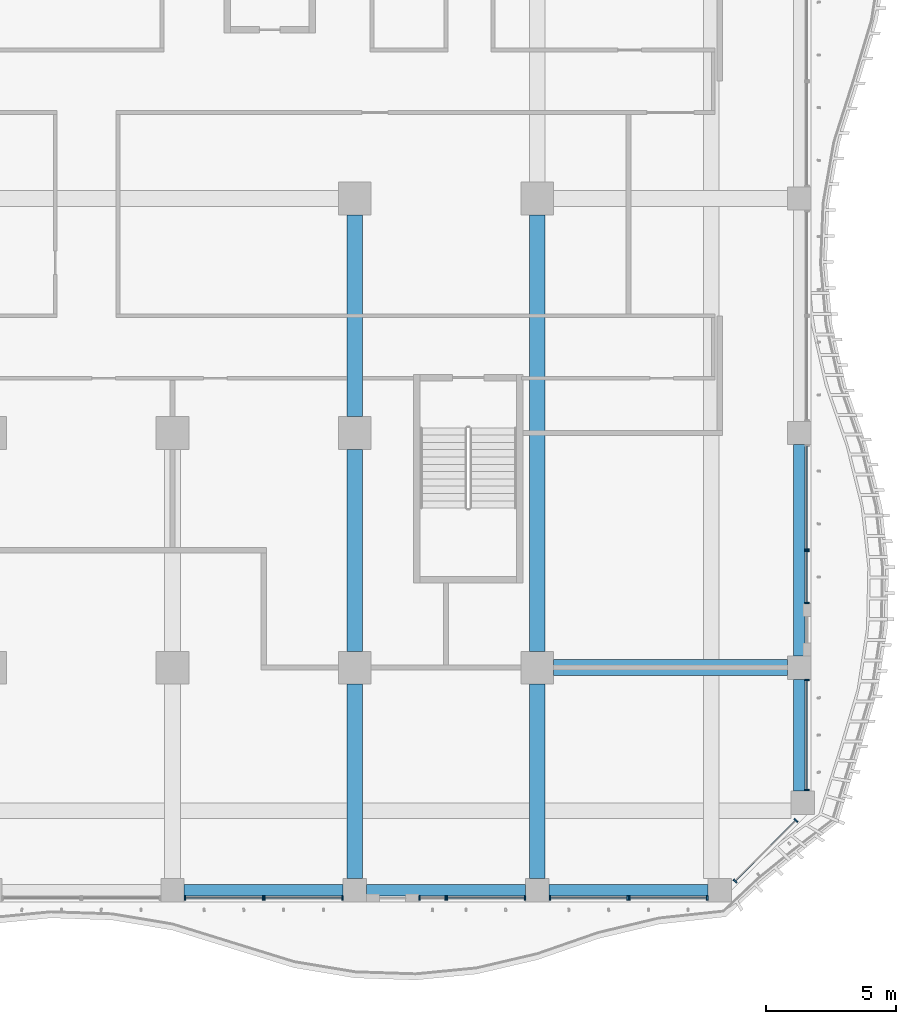
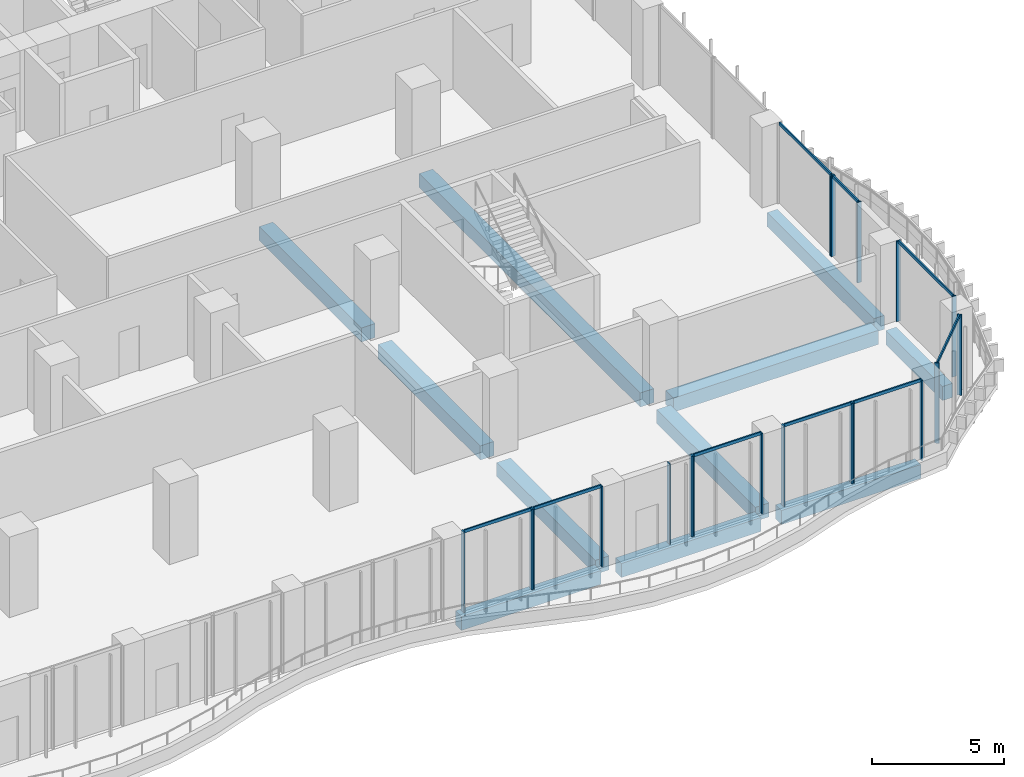
# One storey, part 4 of 27: 28 members, 11 beams, 10 elements without a shape of their own.
"""IFC4 building model written with IfcOpenShell, lengths in metres."""

from ifc_helpers import new_model, si_unit, direction, frame, origin, origin_2d, place, context, subcontext, project, spatial, rectangle, extrude, source, transform, mapped, material, material_profile, profile_set, type_object, element, aggregate, save


model = new_model("IFC4")

# Units and contexts
model_context = context("Model", 3, precision=1e-05, world=origin(), true_north=direction((0.0, 1.0)))
body_context = subcontext(model_context, "Body", "Model", "MODEL_VIEW")
ifc_project = project(units=[si_unit("LENGTHUNIT", "METRE"), si_unit("AREAUNIT", "SQUARE_METRE"), si_unit("VOLUMEUNIT", "CUBIC_METRE"), si_unit("PLANEANGLEUNIT", "RADIAN"), si_unit("MASSUNIT", "GRAM", prefix="KILO")], contexts=[model_context])

# Site, building, storey
site_placement = place(None, origin())
site = spatial("IfcSite", under=ifc_project, at=site_placement, CompositionType="ELEMENT")
building_placement = place(site_placement, origin())
building = spatial("IfcBuilding", under=site, at=building_placement, Name="Kilnfold Tower and Market Hall", CompositionType="ELEMENT")
storey_placement = place(building_placement, frame((0.0, 0.0, 71.199951171875)))
storey = spatial("IfcBuildingStorey", under=building, at=storey_placement, Name="L16", CompositionType="ELEMENT", Elevation=71.199951171875)

# Beams
ifc_material_1 = material(Name="Concrete C45", Category="concrete")
ifc_material_profile_1 = material_profile(ifc_material_1, rectangle(XDim=0.449951171875, YDim=0.64990234375, at=origin_2d()), Name="RC 450x650")
ifc_profile_set_1 = profile_set([ifc_material_profile_1], Name="Concrete C45")
beam_type_1 = type_object("IfcBeamType", Name="EDGE BEAM 450X650 C45", PredefinedType="BEAM", material=ifc_profile_set_1)
shared_shape_1 = source(origin(), body_context, "Body", "SweptSolid", [
    extrude(rectangle(XDim=0.449951171875, YDim=0.64990234375, at=origin_2d()), origin(), (0.0, 0.0, 1.0), 6.10009765625),
])
for number, where, z_axis, x_axis, name in (
    (1, (8.949951171875, -27.550048828125, -0.60498046875), (1.0, 0.0, 0.0), (0.0, 1.0, 0.0), "Beam EB650-B2.64"),
    (2, (15.949951171875, -27.550048828125, -0.60498046875), (1.0, 0.0, 0.0), (0.0, 1.0, 0.0), "Beam EB650-B2.65"),
    (3, (22.949951171875, -27.550048828125, -0.60498046875), (1.0, 0.0, 0.0), (0.0, 1.0, 0.0), "Beam EB650-B2.66"),
):
    element("IfcBeam", number, at=place(storey_placement, frame(where, z_axis=z_axis, x_axis=x_axis)), inside=storey, type_object=beam_type_1, Name=name, PredefinedType="BEAM", context=body_context, shape_type="MappedRepresentation", body=[
        mapped(shared_shape_1, transform((0.0, 0.0, 0.0))),
    ])
shared_shape_2 = source(origin(), body_context, "Body", "SweptSolid", [
    extrude(rectangle(XDim=0.449951171875, YDim=0.64990234375, at=origin_2d()), origin(), (0.0, 0.0, 1.0), 8.10009765625),
])
beam_1_placement = place(storey_placement, frame((32.550048828125, -18.550048828125, -0.60498046875), z_axis=(0.0, 1.0, 0.0), x_axis=(-1.0, 0.0, 0.0)))
element("IfcBeam", 4, at=beam_1_placement, inside=storey, type_object=beam_type_1, Name="Beam EB650-B2.100", PredefinedType="BEAM", context=body_context, shape_type="MappedRepresentation", body=[
    mapped(shared_shape_2, transform((0.0, 0.0, 0.0))),
])
shared_shape_3 = source(origin(), body_context, "Body", "SweptSolid", [
    extrude(rectangle(XDim=0.449951171875, YDim=0.64990234375, at=origin_2d()), origin(), (0.0, 0.0, 1.0), 4.28173828125),
])
beam_2_placement = place(storey_placement, frame((32.550048828125, -23.731689453125, -0.60498046875), z_axis=(0.0, 1.0, 0.0), x_axis=(-1.0, 0.0, 0.0)))
element("IfcBeam", 5, at=beam_2_placement, inside=storey, type_object=beam_type_1, Name="Beam EB650-B2.99", PredefinedType="BEAM", context=body_context, shape_type="MappedRepresentation", body=[
    mapped(shared_shape_3, transform((0.0, 0.0, 0.0))),
])
ifc_material_2 = material(Name="Concrete C45", Category="concrete")
ifc_material_profile_2 = material_profile(ifc_material_2, rectangle(XDim=0.60009765625, YDim=0.64990234375, at=origin_2d()), Name="RC 600x650")
ifc_profile_set_2 = profile_set([ifc_material_profile_2], Name="Concrete C45")
beam_type_2 = type_object("IfcBeamType", Name="BEAM 600X650 C45", PredefinedType="BEAM", material=ifc_profile_set_2)
shared_shape_4 = source(origin(), body_context, "Body", "SweptSolid", [
    extrude(rectangle(XDim=0.60009765625, YDim=0.64990234375, at=origin_2d()), origin(), (0.0, 0.0, 1.0), 8.97509765625),
])
beam_3_placement = place(storey_placement, frame((23.125, -19.0, -0.60498046875), z_axis=(1.0, 0.0, 0.0), x_axis=(0.0, 1.0, 0.0)))
element("IfcBeam", 6, at=beam_3_placement, inside=storey, type_object=beam_type_2, Name="Beam BB650-B2.69", PredefinedType="BEAM", context=body_context, shape_type="MappedRepresentation", body=[
    mapped(shared_shape_4, transform((0.0, 0.0, 0.0))),
])
shared_shape_5 = source(origin(), body_context, "Body", "SweptSolid", [
    extrude(rectangle(XDim=0.60009765625, YDim=0.64990234375, at=origin_2d()), origin(), (0.0, 0.0, 1.0), 7.47509765625),
])
for number, where, z_axis, x_axis, name in (
    (7, (15.5, -27.10009765625, -0.60498046875), (0.0, 1.0, 0.0), (-1.0, 0.0, 0.0), "Beam BB650-B2.91"),
    (8, (22.5, -27.10009765625, -0.60498046875), (0.0, 1.0, 0.0), (-1.0, 0.0, 0.0), "Beam BB650-B2.94"),
):
    element("IfcBeam", number, at=place(storey_placement, frame(where, z_axis=z_axis, x_axis=x_axis)), inside=storey, type_object=beam_type_2, Name=name, PredefinedType="BEAM", context=body_context, shape_type="MappedRepresentation", body=[
        mapped(shared_shape_5, transform((0.0, 0.0, 0.0))),
    ])
shared_shape_6 = source(origin(), body_context, "Body", "SweptSolid", [
    extrude(rectangle(XDim=0.60009765625, YDim=0.64990234375, at=origin_2d()), origin(), (0.0, 0.0, 1.0), 7.75),
])
for number, where, z_axis, x_axis, name in (
    (9, (15.5, -18.375, -0.60498046875), (0.0, 1.0, 0.0), (-1.0, 0.0, 0.0), "Beam BB650-B2.92"),
    (10, (15.5, -9.375, -0.60498046875), (0.0, 1.0, 0.0), (-1.0, 0.0, 0.0), "Beam BB650-B2.93"),
):
    element("IfcBeam", number, at=place(storey_placement, frame(where, z_axis=z_axis, x_axis=x_axis)), inside=storey, type_object=beam_type_2, Name=name, PredefinedType="BEAM", context=body_context, shape_type="MappedRepresentation", body=[
        mapped(shared_shape_6, transform((0.0, 0.0, 0.0))),
    ])
shared_shape_7 = source(origin(), body_context, "Body", "SweptSolid", [
    extrude(rectangle(XDim=0.60009765625, YDim=0.64990234375, at=origin_2d()), origin(), (0.0, 0.0, 1.0), 16.75),
])
beam_4_placement = place(storey_placement, frame((22.5, -18.375, -0.60498046875), z_axis=(0.0, 1.0, 0.0), x_axis=(-1.0, 0.0, 0.0)))
element("IfcBeam", 11, at=beam_4_placement, inside=storey, type_object=beam_type_2, Name="Beam BB650-B2.95", PredefinedType="BEAM", context=body_context, shape_type="MappedRepresentation", body=[
    mapped(shared_shape_7, transform((0.0, 0.0, 0.0))),
])

# Curtain wall, members
ifc_material_3 = material(Name="Aluminium and double glazing", Category="aluminium")
curtain_wall_type = type_object("IfcCurtainWallType", Name="CW OF1 VALLEY GLAZING", PredefinedType="NOTDEFINED", material=ifc_material_3)
curtain_wall_1_placement = place(storey_placement, origin())
curtain_wall_1 = element("IfcCurtainWall", 12, at=curtain_wall_1_placement, inside=storey, type_object=curtain_wall_type, Name="Curtain wall CW1 L16 S", PredefinedType="NOTDEFINED")
ifc_material_4 = material(Name="Aluminium", Category="aluminium")
ifc_material_profile_3 = material_profile(ifc_material_4, rectangle(XDim=0.06005859375, YDim=0.179931640625, at=origin_2d()), Name="MULLION 60x180")
ifc_profile_set_3 = profile_set([ifc_material_profile_3], Name="Aluminium")
member_type_1 = type_object("IfcMemberType", Name="MULLION 60X180", PredefinedType="MULLION", material=ifc_profile_set_3)
shared_shape_8 = source(origin(), body_context, "Body", "SweptSolid", [
    extrude(rectangle(XDim=0.06005859375, YDim=0.179931640625, at=origin_2d()), origin(), (0.0, 0.0, 1.0), 3.719970703125),
])
member_1_placement = place(storey_placement, frame((8.97998046875, -27.85009765625, 0.0), z_axis=(0.0, 0.0, 1.0), x_axis=(1.0, 0.0, 0.0)))
member_1 = element("IfcMember", 13, at=member_1_placement, type_object=member_type_1, Name="CW1 mullion 1", PredefinedType="MULLION", context=body_context, shape_type="MappedRepresentation", body=[
    mapped(shared_shape_8, transform((0.0, 0.0, 0.0))),
])
member_2_placement = place(storey_placement, frame((11.969970703125, -27.85009765625, 0.0), z_axis=(0.0, 0.0, 1.0), x_axis=(1.0, 0.0, 0.0)))
member_2 = element("IfcMember", 14, at=member_2_placement, type_object=member_type_1, Name="CW1 mullion 2", PredefinedType="MULLION", context=body_context, shape_type="MappedRepresentation", body=[
    mapped(shared_shape_8, transform((0.0, 0.0, 0.0))),
])

curtain_wall_2_placement = place(storey_placement, origin())
curtain_wall_2 = element("IfcCurtainWall", 15, at=curtain_wall_2_placement, inside=storey, type_object=curtain_wall_type, Name="Curtain wall CW1 L16 S", PredefinedType="NOTDEFINED")
member_3_placement = place(storey_placement, frame((12.030029296875, -27.85009765625, 0.0), z_axis=(0.0, 0.0, 1.0), x_axis=(1.0, 0.0, 0.0)))
member_3 = element("IfcMember", 16, at=member_3_placement, type_object=member_type_1, Name="CW1 mullion 1", PredefinedType="MULLION", context=body_context, shape_type="MappedRepresentation", body=[
    mapped(shared_shape_8, transform((0.0, 0.0, 0.0))),
])
member_4_placement = place(storey_placement, frame((15.02001953125, -27.85009765625, 0.0), z_axis=(0.0, 0.0, 1.0), x_axis=(1.0, 0.0, 0.0)))
member_4 = element("IfcMember", 17, at=member_4_placement, type_object=member_type_1, Name="CW1 mullion 2", PredefinedType="MULLION", context=body_context, shape_type="MappedRepresentation", body=[
    mapped(shared_shape_8, transform((0.0, 0.0, 0.0))),
])

curtain_wall_3_placement = place(storey_placement, origin())
curtain_wall_3 = element("IfcCurtainWall", 18, at=curtain_wall_3_placement, inside=storey, type_object=curtain_wall_type, Name="Curtain wall CW1 L16 S", PredefinedType="NOTDEFINED")
member_5_placement = place(storey_placement, frame((17.97998046875, -27.85009765625, 0.0), z_axis=(0.0, 0.0, 1.0), x_axis=(1.0, 0.0, 0.0)))
member_5 = element("IfcMember", 19, at=member_5_placement, type_object=member_type_1, Name="CW1 mullion 1", PredefinedType="MULLION", context=body_context, shape_type="MappedRepresentation", body=[
    mapped(shared_shape_8, transform((0.0, 0.0, 0.0))),
])
member_6_placement = place(storey_placement, frame((18.969970703125, -27.85009765625, 0.0), z_axis=(0.0, 0.0, 1.0), x_axis=(1.0, 0.0, 0.0)))
member_6 = element("IfcMember", 20, at=member_6_placement, type_object=member_type_1, Name="CW1 mullion 2", PredefinedType="MULLION", context=body_context, shape_type="MappedRepresentation", body=[
    mapped(shared_shape_8, transform((0.0, 0.0, 0.0))),
])
aggregate(curtain_wall_3, [member_5, member_6])

curtain_wall_4_placement = place(storey_placement, origin())
curtain_wall_4 = element("IfcCurtainWall", 21, at=curtain_wall_4_placement, inside=storey, type_object=curtain_wall_type, Name="Curtain wall CW1 L16 S", PredefinedType="NOTDEFINED")
member_7_placement = place(storey_placement, frame((19.030029296875, -27.85009765625, 0.0), z_axis=(0.0, 0.0, 1.0), x_axis=(1.0, 0.0, 0.0)))
member_7 = element("IfcMember", 22, at=member_7_placement, type_object=member_type_1, Name="CW1 mullion 1", PredefinedType="MULLION", context=body_context, shape_type="MappedRepresentation", body=[
    mapped(shared_shape_8, transform((0.0, 0.0, 0.0))),
])
member_8_placement = place(storey_placement, frame((22.02001953125, -27.85009765625, 0.0), z_axis=(0.0, 0.0, 1.0), x_axis=(1.0, 0.0, 0.0)))
member_8 = element("IfcMember", 23, at=member_8_placement, type_object=member_type_1, Name="CW1 mullion 2", PredefinedType="MULLION", context=body_context, shape_type="MappedRepresentation", body=[
    mapped(shared_shape_8, transform((0.0, 0.0, 0.0))),
])

curtain_wall_5_placement = place(storey_placement, origin())
curtain_wall_5 = element("IfcCurtainWall", 24, at=curtain_wall_5_placement, inside=storey, type_object=curtain_wall_type, Name="Curtain wall CW1 L16 S", PredefinedType="NOTDEFINED")
member_9_placement = place(storey_placement, frame((22.97998046875, -27.85009765625, 0.0), z_axis=(0.0, 0.0, 1.0), x_axis=(1.0, 0.0, 0.0)))
member_9 = element("IfcMember", 25, at=member_9_placement, type_object=member_type_1, Name="CW1 mullion 1", PredefinedType="MULLION", context=body_context, shape_type="MappedRepresentation", body=[
    mapped(shared_shape_8, transform((0.0, 0.0, 0.0))),
])
member_10_placement = place(storey_placement, frame((25.969970703125, -27.85009765625, 0.0), z_axis=(0.0, 0.0, 1.0), x_axis=(1.0, 0.0, 0.0)))
member_10 = element("IfcMember", 26, at=member_10_placement, type_object=member_type_1, Name="CW1 mullion 2", PredefinedType="MULLION", context=body_context, shape_type="MappedRepresentation", body=[
    mapped(shared_shape_8, transform((0.0, 0.0, 0.0))),
])

curtain_wall_6_placement = place(storey_placement, origin())
curtain_wall_6 = element("IfcCurtainWall", 27, at=curtain_wall_6_placement, inside=storey, type_object=curtain_wall_type, Name="Curtain wall CW1 L16 S", PredefinedType="NOTDEFINED")
member_11_placement = place(storey_placement, frame((26.030029296875, -27.85009765625, 0.0), z_axis=(0.0, 0.0, 1.0), x_axis=(1.0, 0.0, 0.0)))
member_11 = element("IfcMember", 28, at=member_11_placement, type_object=member_type_1, Name="CW1 mullion 1", PredefinedType="MULLION", context=body_context, shape_type="MappedRepresentation", body=[
    mapped(shared_shape_8, transform((0.0, 0.0, 0.0))),
])
member_12_placement = place(storey_placement, frame((29.02001953125, -27.85009765625, 0.0), z_axis=(0.0, 0.0, 1.0), x_axis=(1.0, 0.0, 0.0)))
member_12 = element("IfcMember", 29, at=member_12_placement, type_object=member_type_1, Name="CW1 mullion 2", PredefinedType="MULLION", context=body_context, shape_type="MappedRepresentation", body=[
    mapped(shared_shape_8, transform((0.0, 0.0, 0.0))),
])

curtain_wall_7_placement = place(storey_placement, origin())
curtain_wall_7 = element("IfcCurtainWall", 30, at=curtain_wall_7_placement, inside=storey, type_object=curtain_wall_type, Name="Curtain wall CW1 L16 SE", PredefinedType="NOTDEFINED")
member_13_placement = place(storey_placement, frame((30.090087890625, -27.19775390625, 0.0), z_axis=(0.0, 0.0, 1.0), x_axis=(0.707121667181, 0.707091894879, 0.0)))
member_13 = element("IfcMember", 31, at=member_13_placement, type_object=member_type_1, Name="CW1 mullion 1", PredefinedType="MULLION", context=body_context, shape_type="MappedRepresentation", body=[
    mapped(shared_shape_8, transform((0.0, 0.0, 0.0))),
])
member_14_placement = place(storey_placement, frame((32.4228515625, -24.865234375, 0.0), z_axis=(0.0, 0.0, 1.0), x_axis=(0.707121667181, 0.707091894879, 0.0)))
member_14 = element("IfcMember", 32, at=member_14_placement, type_object=member_type_1, Name="CW1 mullion 2", PredefinedType="MULLION", context=body_context, shape_type="MappedRepresentation", body=[
    mapped(shared_shape_8, transform((0.0, 0.0, 0.0))),
])

curtain_wall_8_placement = place(storey_placement, origin())
curtain_wall_8 = element("IfcCurtainWall", 33, at=curtain_wall_8_placement, inside=storey, type_object=curtain_wall_type, Name="Curtain wall CW1 L16 E", PredefinedType="NOTDEFINED")
member_15_placement = place(storey_placement, frame((32.85009765625, -23.701904296875, 0.0), z_axis=(0.0, 0.0, 1.0), x_axis=(0.0, 1.0, 0.0)))
member_15 = element("IfcMember", 34, at=member_15_placement, type_object=member_type_1, Name="CW1 mullion 1", PredefinedType="MULLION", context=body_context, shape_type="MappedRepresentation", body=[
    mapped(shared_shape_8, transform((0.0, 0.0, 0.0))),
])
member_16_placement = place(storey_placement, frame((32.85009765625, -19.47998046875, 0.0), z_axis=(0.0, 0.0, 1.0), x_axis=(0.0, 1.0, 0.0)))
member_16 = element("IfcMember", 35, at=member_16_placement, type_object=member_type_1, Name="CW1 mullion 2", PredefinedType="MULLION", context=body_context, shape_type="MappedRepresentation", body=[
    mapped(shared_shape_8, transform((0.0, 0.0, 0.0))),
])

curtain_wall_9_placement = place(storey_placement, origin())
curtain_wall_9 = element("IfcCurtainWall", 36, at=curtain_wall_9_placement, inside=storey, type_object=curtain_wall_type, Name="Curtain wall CW1 L16 E", PredefinedType="NOTDEFINED")
member_17_placement = place(storey_placement, frame((32.85009765625, -16.52001953125, 0.0), z_axis=(0.0, 0.0, 1.0), x_axis=(0.0, 1.0, 0.0)))
member_17 = element("IfcMember", 37, at=member_17_placement, type_object=member_type_1, Name="CW1 mullion 1", PredefinedType="MULLION", context=body_context, shape_type="MappedRepresentation", body=[
    mapped(shared_shape_8, transform((0.0, 0.0, 0.0))),
])
member_18_placement = place(storey_placement, frame((32.85009765625, -14.530029296875, 0.0), z_axis=(0.0, 0.0, 1.0), x_axis=(0.0, 1.0, 0.0)))
member_18 = element("IfcMember", 38, at=member_18_placement, type_object=member_type_1, Name="CW1 mullion 2", PredefinedType="MULLION", context=body_context, shape_type="MappedRepresentation", body=[
    mapped(shared_shape_8, transform((0.0, 0.0, 0.0))),
])

# Curtain wall, member
curtain_wall_10_placement = place(storey_placement, origin())
curtain_wall_10 = element("IfcCurtainWall", 39, at=curtain_wall_10_placement, inside=storey, type_object=curtain_wall_type, Name="Curtain wall CW1 L16 E", PredefinedType="NOTDEFINED")
member_19_placement = place(storey_placement, frame((32.85009765625, -14.469970703125, 0.0), z_axis=(0.0, 0.0, 1.0), x_axis=(0.0, 1.0, 0.0)))
member_19 = element("IfcMember", 40, at=member_19_placement, type_object=member_type_1, Name="CW1 mullion 1", PredefinedType="MULLION", context=body_context, shape_type="MappedRepresentation", body=[
    mapped(shared_shape_8, transform((0.0, 0.0, 0.0))),
])

# Member
ifc_material_5 = material(Name="Aluminium", Category="aluminium")
ifc_material_profile_4 = material_profile(ifc_material_5, rectangle(XDim=0.06005859375, YDim=0.139892578125, at=origin_2d()), Name="TRANSOM 60x140")
ifc_profile_set_4 = profile_set([ifc_material_profile_4], Name="Aluminium")
member_type_2 = type_object("IfcMemberType", Name="TRANSOM 60X140", PredefinedType="USERDEFINED", material=ifc_profile_set_4)
shared_shape_9 = source(origin(), body_context, "Body", "SweptSolid", [
    extrude(rectangle(XDim=0.06005859375, YDim=0.139892578125, at=origin_2d()), origin(), (0.0, 0.0, 1.0), 2.929931640625),
])
member_20_placement = place(storey_placement, frame((9.010009765625, -27.85009765625, 3.68994140625), z_axis=(1.0, 0.0, 0.0), x_axis=(0.0, 1.0, 0.0)))
member_20 = element("IfcMember", 41, at=member_20_placement, type_object=member_type_2, Name="CW1 transom 1.2", ObjectType="TRANSOM", PredefinedType="USERDEFINED", context=body_context, shape_type="MappedRepresentation", body=[
    mapped(shared_shape_9, transform((0.0, 0.0, 0.0))),
])

aggregate(curtain_wall_1, [member_1, member_2, member_20])

member_21_placement = place(storey_placement, frame((12.06005859375, -27.85009765625, 3.68994140625), z_axis=(1.0, 0.0, 0.0), x_axis=(0.0, 1.0, 0.0)))
member_21 = element("IfcMember", 42, at=member_21_placement, type_object=member_type_2, Name="CW1 transom 1.2", ObjectType="TRANSOM", PredefinedType="USERDEFINED", context=body_context, shape_type="MappedRepresentation", body=[
    mapped(shared_shape_9, transform((0.0, 0.0, 0.0))),
])

aggregate(curtain_wall_2, [member_3, member_4, member_21])

member_22_placement = place(storey_placement, frame((19.06005859375, -27.85009765625, 3.68994140625), z_axis=(1.0, 0.0, 0.0), x_axis=(0.0, 1.0, 0.0)))
member_22 = element("IfcMember", 43, at=member_22_placement, type_object=member_type_2, Name="CW1 transom 1.2", ObjectType="TRANSOM", PredefinedType="USERDEFINED", context=body_context, shape_type="MappedRepresentation", body=[
    mapped(shared_shape_9, transform((0.0, 0.0, 0.0))),
])

aggregate(curtain_wall_4, [member_7, member_8, member_22])

member_23_placement = place(storey_placement, frame((23.010009765625, -27.85009765625, 3.68994140625), z_axis=(1.0, 0.0, 0.0), x_axis=(0.0, 1.0, 0.0)))
member_23 = element("IfcMember", 44, at=member_23_placement, type_object=member_type_2, Name="CW1 transom 1.2", ObjectType="TRANSOM", PredefinedType="USERDEFINED", context=body_context, shape_type="MappedRepresentation", body=[
    mapped(shared_shape_9, transform((0.0, 0.0, 0.0))),
])

aggregate(curtain_wall_5, [member_9, member_10, member_23])

member_24_placement = place(storey_placement, frame((26.06005859375, -27.85009765625, 3.68994140625), z_axis=(1.0, 0.0, 0.0), x_axis=(0.0, 1.0, 0.0)))
member_24 = element("IfcMember", 45, at=member_24_placement, type_object=member_type_2, Name="CW1 transom 1.2", ObjectType="TRANSOM", PredefinedType="USERDEFINED", context=body_context, shape_type="MappedRepresentation", body=[
    mapped(shared_shape_9, transform((0.0, 0.0, 0.0))),
])

aggregate(curtain_wall_6, [member_11, member_12, member_24])

shared_shape_10 = source(origin(), body_context, "Body", "SweptSolid", [
    extrude(rectangle(XDim=0.06005859375, YDim=0.139892578125, at=origin_2d()), origin(), (0.0, 0.0, 1.0), 3.929931640625),
])
member_25_placement = place(storey_placement, frame((32.85009765625, -14.43994140625, 3.68994140625), z_axis=(0.0, 1.0, 0.0), x_axis=(-1.0, 0.0, 0.0)))
member_25 = element("IfcMember", 46, at=member_25_placement, type_object=member_type_2, Name="CW1 transom 1.2", ObjectType="TRANSOM", PredefinedType="USERDEFINED", context=body_context, shape_type="MappedRepresentation", body=[
    mapped(shared_shape_10, transform((0.0, 0.0, 0.0))),
])

aggregate(curtain_wall_10, [member_19, member_25])

shared_shape_11 = source(origin(), body_context, "Body", "SweptSolid", [
    extrude(rectangle(XDim=0.06005859375, YDim=0.139892578125, at=origin_2d()), origin(), (0.0, 0.0, 1.0), 1.929931640625),
])
member_26_placement = place(storey_placement, frame((32.85009765625, -16.489990234375, 3.68994140625), z_axis=(0.0, 1.0, 0.0), x_axis=(-1.0, 0.0, 0.0)))
member_26 = element("IfcMember", 47, at=member_26_placement, type_object=member_type_2, Name="CW1 transom 1.2", ObjectType="TRANSOM", PredefinedType="USERDEFINED", context=body_context, shape_type="MappedRepresentation", body=[
    mapped(shared_shape_11, transform((0.0, 0.0, 0.0))),
])

aggregate(curtain_wall_9, [member_17, member_18, member_26])

shared_shape_12 = source(origin(), body_context, "Body", "SweptSolid", [
    extrude(rectangle(XDim=0.06005859375, YDim=0.139892578125, at=origin_2d()), origin(), (0.0, 0.0, 1.0), 4.161865234375),
])
member_27_placement = place(storey_placement, frame((32.85009765625, -23.671875, 3.68994140625), z_axis=(0.0, 1.0, 0.0), x_axis=(-1.0, 0.0, 0.0)))
member_27 = element("IfcMember", 48, at=member_27_placement, type_object=member_type_2, Name="CW1 transom 1.2", ObjectType="TRANSOM", PredefinedType="USERDEFINED", context=body_context, shape_type="MappedRepresentation", body=[
    mapped(shared_shape_12, transform((0.0, 0.0, 0.0))),
])

aggregate(curtain_wall_8, [member_15, member_16, member_27])

shared_shape_13 = source(origin(), body_context, "Body", "SweptSolid", [
    extrude(rectangle(XDim=0.06005859375, YDim=0.139892578125, at=origin_2d()), origin(), (0.0, 0.0, 1.0), 3.239013671875),
])
member_28_placement = place(storey_placement, frame((30.111328125, -27.176513671875, 3.68994140625), z_axis=(0.707106781187, 0.707106781187, 0.0), x_axis=(-0.707106781187, 0.707106781187, 0.0)))
member_28 = element("IfcMember", 49, at=member_28_placement, type_object=member_type_2, Name="CW1 transom 1.2", ObjectType="TRANSOM", PredefinedType="USERDEFINED", context=body_context, shape_type="MappedRepresentation", body=[
    mapped(shared_shape_13, transform((0.0, 0.0, 0.0))),
])

aggregate(curtain_wall_7, [member_13, member_14, member_28])

save(model, "model.ifc")
